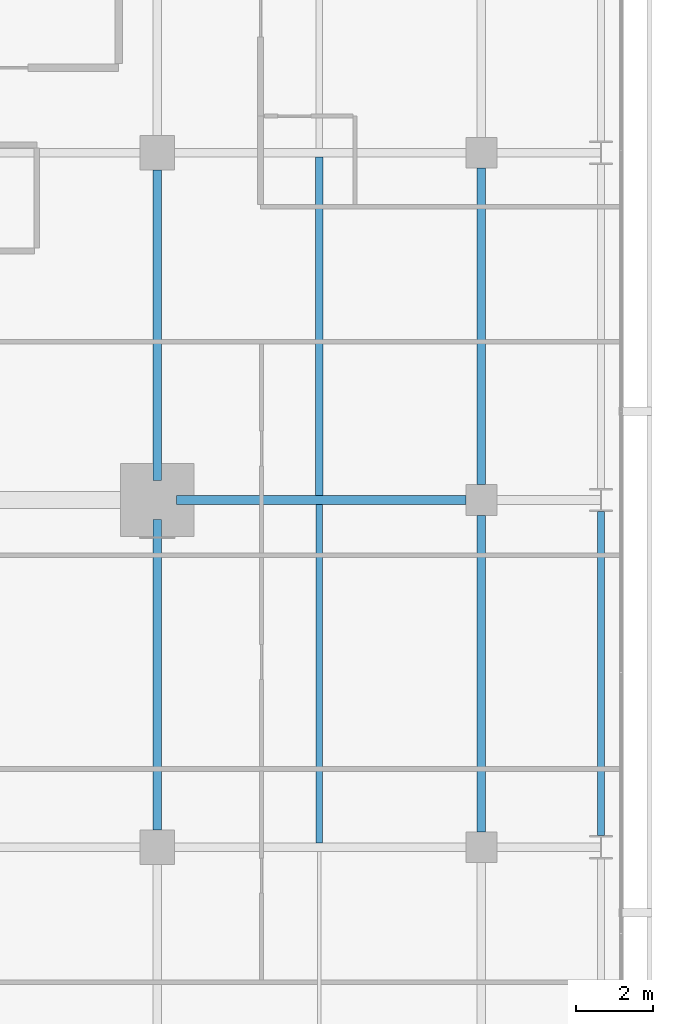
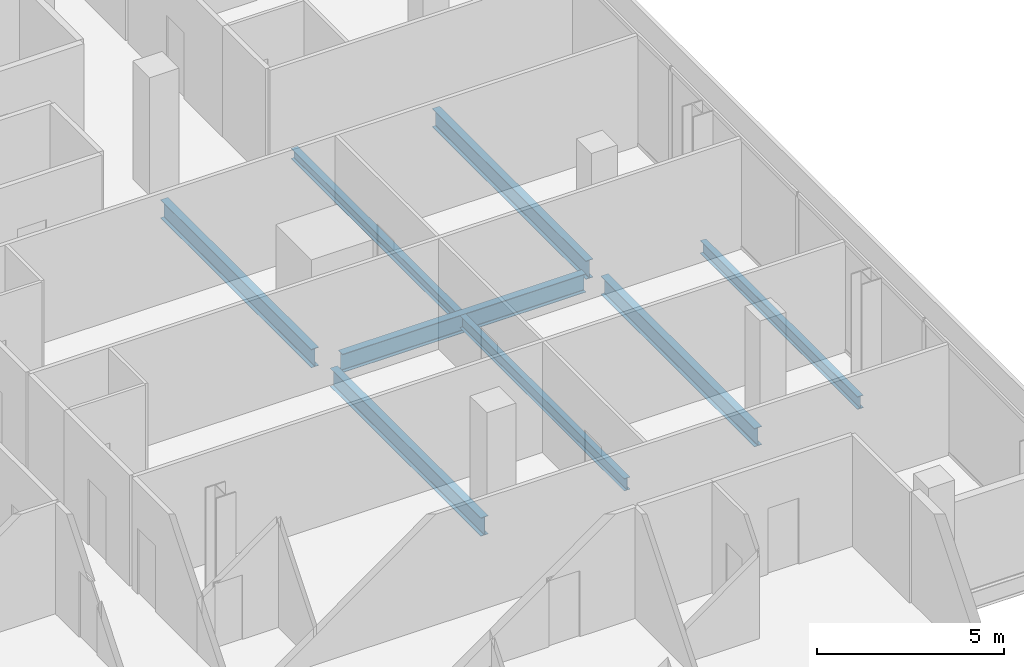
# One storey, part 16 of 33: 8 beams.
"""IFC4 building model written with IfcOpenShell, lengths in metres."""

from ifc_helpers import new_model, si_unit, direction, frame, origin, origin_2d, place, context, subcontext, project, spatial, i_section, extrude, material, material_profile, profile_set, type_object, element, save


model = new_model("IFC4")

# Units and contexts
model_context = context("Model", 3, precision=1e-05, world=origin(), true_north=direction((0.0, 1.0)))
body_context = subcontext(model_context, "Body", "Model", "MODEL_VIEW")
ifc_project = project(units=[si_unit("LENGTHUNIT", "METRE"), si_unit("AREAUNIT", "SQUARE_METRE"), si_unit("VOLUMEUNIT", "CUBIC_METRE"), si_unit("PLANEANGLEUNIT", "RADIAN"), si_unit("MASSUNIT", "GRAM", prefix="KILO")], contexts=[model_context])

# Site, building, storey
site_placement = place(None, origin())
site = spatial("IfcSite", under=ifc_project, at=site_placement, CompositionType="ELEMENT")
building_placement = place(site_placement, origin())
building = spatial("IfcBuilding", under=site, at=building_placement, Name="Maruvema Waterfront Hotel and Observation Tower", CompositionType="ELEMENT")
storey_placement = place(building_placement, frame((0.0, 0.0, 158.199951171875)))
storey = spatial("IfcBuildingStorey", under=building, at=storey_placement, Name="L38", CompositionType="ELEMENT", Elevation=158.199951171875)

# Beams
ifc_material_1 = material(Name="Steel ASTM A572 Grade 50", Category="steel")
ifc_material_profile_1 = material_profile(ifc_material_1, i_section(OverallWidth=0.180908203125, OverallDepth=0.4169921875, WebThickness=0.010986328125, FlangeThickness=0.018310546875, FilletRadius=0.014892578125, at=origin_2d()), Name="W410x85.0")
ifc_profile_set_1 = profile_set([ifc_material_profile_1], Name="Steel ASTM A572 Grade 50")
beam_type_1 = type_object("IfcBeamType", Name="Perimeter Spandrel Beam W410x85.0", PredefinedType="SPANDREL", material=ifc_profile_set_1)
beam_1_placement = place(storey_placement, frame((61.89990234375, 18.300048828125, -0.448486328125), z_axis=(0.0, 1.0, 0.0), x_axis=(-1.0, 0.0, 0.0)))
element("IfcBeam", 1, at=beam_1_placement, inside=storey, type_object=beam_type_1, Name="L38 Floor Girder NS-30", PredefinedType="SPANDREL", context=body_context, shape_type="SweptSolid", body=[
    extrude(i_section(OverallWidth=0.180908203125, OverallDepth=0.4169921875, WebThickness=0.010986328125, FlangeThickness=0.018310546875, FilletRadius=0.014892578125, at=origin_2d()), origin(), (0.0, 0.0, 1.0), 8.39990234375),
])
ifc_material_2 = material(Name="Steel ASTM A572 Grade 50", Category="steel")
ifc_material_profile_2 = material_profile(ifc_material_2, i_section(OverallWidth=0.22802734375, OverallDepth=0.60302734375, WebThickness=0.010498046875, FlangeThickness=0.014892578125, FilletRadius=0.01806640625, at=origin_2d()), Name="W610x101.0")
ifc_profile_set_2 = profile_set([ifc_material_profile_2], Name="Steel ASTM A572 Grade 50")
beam_type_2 = type_object("IfcBeamType", Name="Primary Floor Girder W610x101.0", PredefinedType="BEAM", material=ifc_profile_set_2)
beam_2_placement = place(storey_placement, frame((50.89990234375, 27.0, -0.54150390625), z_axis=(1.0, 0.0, 0.0), x_axis=(0.0, 1.0, 0.0)))
element("IfcBeam", 2, at=beam_2_placement, inside=storey, type_object=beam_type_2, Name="L38 Floor Girder EW-21", PredefinedType="BEAM", context=body_context, shape_type="SweptSolid", body=[
    extrude(i_section(OverallWidth=0.22802734375, OverallDepth=0.60302734375, WebThickness=0.010498046875, FlangeThickness=0.014892578125, FilletRadius=0.01806640625, at=origin_2d()), origin(), (0.0, 0.0, 1.0), 7.5),
])
for number, where, z_axis, x_axis, name in (
    (3, (50.39990234375, 18.449951171875, -0.54150390625), (0.0, 1.0, 0.0), (-1.0, 0.0, 0.0), "L38 Floor Girder NS-22"),
    (4, (50.39990234375, 27.5, -0.54150390625), (0.0, 1.0, 0.0), (-1.0, 0.0, 0.0), "L38 Floor Girder NS-23"),
):
    element("IfcBeam", number, at=place(storey_placement, frame(where, z_axis=z_axis, x_axis=x_axis)), inside=storey, type_object=beam_type_2, Name=name, PredefinedType="BEAM", context=body_context, shape_type="SweptSolid", body=[
        extrude(i_section(OverallWidth=0.22802734375, OverallDepth=0.60302734375, WebThickness=0.010498046875, FlangeThickness=0.014892578125, FilletRadius=0.01806640625, at=origin_2d()), origin(), (0.0, 0.0, 1.0), 8.050048828125),
    ])
for number, where, z_axis, x_axis, name in (
    (5, (58.800048828125, 18.39990234375, -0.54150390625), (0.0, 1.0, 0.0), (-1.0, 0.0, 0.0), "L38 Floor Girder NS-26"),
    (6, (58.800048828125, 27.39990234375, -0.54150390625), (0.0, 1.0, 0.0), (-1.0, 0.0, 0.0), "L38 Floor Girder NS-27"),
):
    element("IfcBeam", number, at=place(storey_placement, frame(where, z_axis=z_axis, x_axis=x_axis)), inside=storey, type_object=beam_type_2, Name=name, PredefinedType="BEAM", context=body_context, shape_type="SweptSolid", body=[
        extrude(i_section(OverallWidth=0.22802734375, OverallDepth=0.60302734375, WebThickness=0.010498046875, FlangeThickness=0.014892578125, FilletRadius=0.01806640625, at=origin_2d()), origin(), (0.0, 0.0, 1.0), 8.2001953125),
    ])
ifc_material_3 = material(Name="Steel ASTM A572 Grade 50", Category="steel")
ifc_material_profile_3 = material_profile(ifc_material_3, i_section(OverallWidth=0.202880859375, OverallDepth=0.346923828125, WebThickness=0.0078125, FlangeThickness=0.013427734375, FilletRadius=0.014892578125, at=origin_2d()), Name="W360x64.0")
ifc_profile_set_3 = profile_set([ifc_material_profile_3], Name="Steel ASTM A572 Grade 50")
beam_type_3 = type_object("IfcBeamType", Name="Secondary Floor Joist W360x64.0", PredefinedType="JOIST", material=ifc_profile_set_3)
beam_3_placement = place(storey_placement, frame((54.60009765625, 27.114013671875, -0.413330078125), z_axis=(0.0, 1.0, 0.0), x_axis=(-1.0, 0.0, 0.0)))
element("IfcBeam", 7, at=beam_3_placement, inside=storey, type_object=beam_type_3, Name="L38 Secondary Floor Joist JS-13", PredefinedType="JOIST", context=body_context, shape_type="SweptSolid", body=[
    extrude(i_section(OverallWidth=0.202880859375, OverallDepth=0.346923828125, WebThickness=0.0078125, FlangeThickness=0.013427734375, FilletRadius=0.014892578125, at=origin_2d()), origin(), (0.0, 0.0, 1.0), 8.77197265625),
])
ifc_material_4 = material(Name="Steel ASTM A572 Grade 50", Category="steel")
ifc_material_profile_4 = material_profile(ifc_material_4, i_section(OverallWidth=0.177001953125, OverallDepth=0.403076171875, WebThickness=0.007568359375, FlangeThickness=0.010986328125, FilletRadius=0.014892578125, at=origin_2d()), Name="W410x53.0")
ifc_profile_set_4 = profile_set([ifc_material_profile_4], Name="Steel ASTM A572 Grade 50")
beam_type_4 = type_object("IfcBeamType", Name="Secondary Floor Joist W410x53.0", PredefinedType="JOIST", material=ifc_profile_set_4)
beam_4_placement = place(storey_placement, frame((54.60009765625, 18.114013671875, -0.44140625), z_axis=(0.0, 1.0, 0.0), x_axis=(-1.0, 0.0, 0.0)))
element("IfcBeam", 8, at=beam_4_placement, inside=storey, type_object=beam_type_4, Name="L38 Secondary Floor Joist JS-12", PredefinedType="JOIST", context=body_context, shape_type="SweptSolid", body=[
    extrude(i_section(OverallWidth=0.177001953125, OverallDepth=0.403076171875, WebThickness=0.007568359375, FlangeThickness=0.010986328125, FilletRadius=0.014892578125, at=origin_2d()), origin(), (0.0, 0.0, 1.0), 8.77197265625),
])

save(model, "model.ifc")
